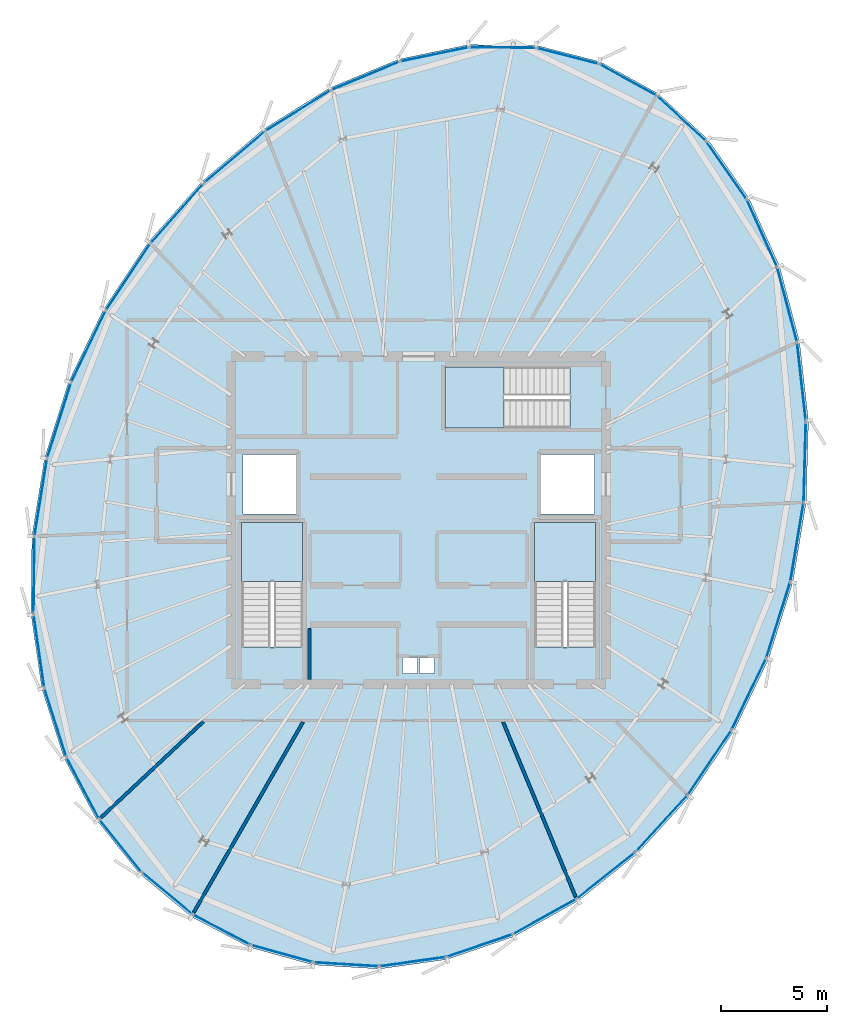
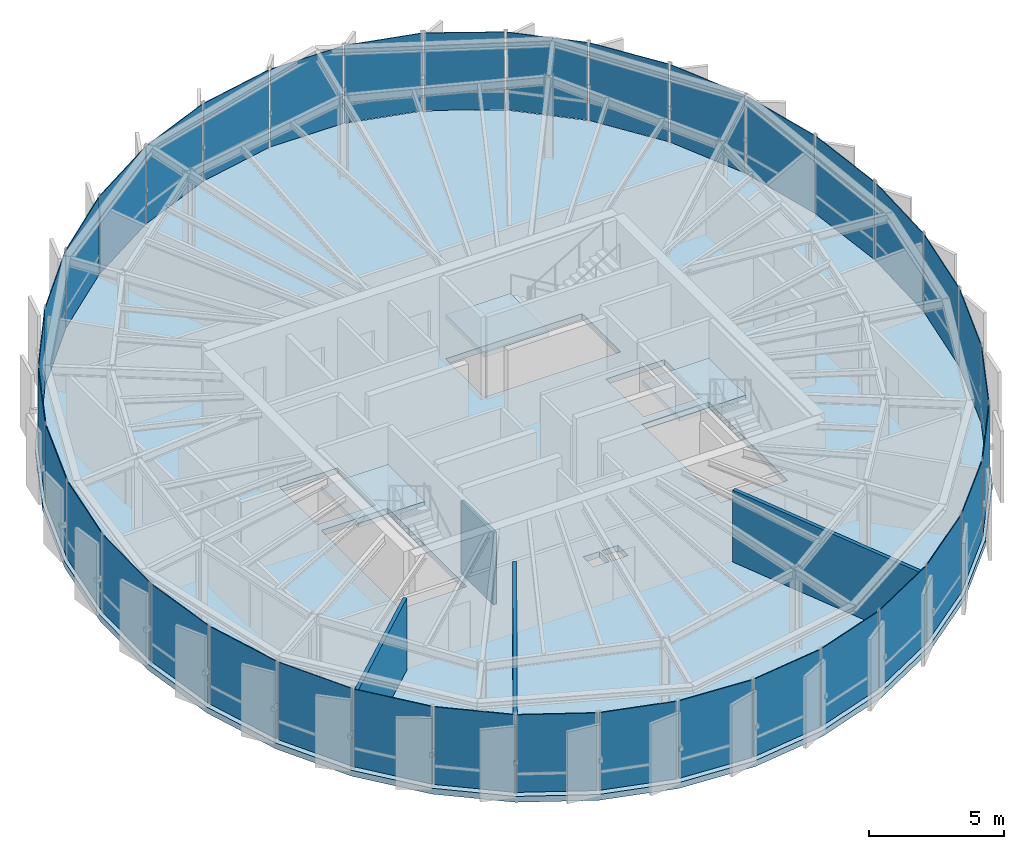
# One storey, part 21 of 27: 36 plates, 4 slabs, 4 walls, 9 elements without a shape of their own.
"""IFC4 building model written with IfcOpenShell, lengths in metres."""

from ifc_helpers import new_model, si_unit, direction, frame, frame_2d, origin, origin_2d, place, context, subcontext, project, spatial, polyline, rectangle, outline, extrude, source, transform, mapped, material, layer, layer_set, type_object, element, aggregate, save


model = new_model("IFC4")

# Units and contexts
model_context = context("Model", 3, precision=1e-05, world=origin(), true_north=direction((0.0, 1.0)))
body_context = subcontext(model_context, "Body", "Model", "MODEL_VIEW")
ifc_project = project(units=[si_unit("LENGTHUNIT", "METRE"), si_unit("AREAUNIT", "SQUARE_METRE"), si_unit("VOLUMEUNIT", "CUBIC_METRE"), si_unit("PLANEANGLEUNIT", "RADIAN"), si_unit("MASSUNIT", "GRAM", prefix="KILO"), si_unit("THERMODYNAMICTEMPERATUREUNIT", "KELVIN")], contexts=[model_context])

# Site, building, storey
site_placement = place(None, origin())
site = spatial("IfcSite", under=ifc_project, at=site_placement, CompositionType="ELEMENT")
building_placement = place(site_placement, origin())
building = spatial("IfcBuilding", under=site, at=building_placement, Name="Kethvar Cultural Tower", CompositionType="ELEMENT")
storey_placement = place(building_placement, frame((0.0, 0.0, 308.300048828125)))
storey = spatial("IfcBuildingStorey", under=building, at=storey_placement, Name="L82", CompositionType="ELEMENT", Elevation=308.300048828125)

# Slab
ifc_material_1 = material(Name="Concrete C45/55", Category="concrete")
ifc_layer_1 = layer(ifc_material_1, 0.264892578125, Name="Concrete C45/55", Category="concrete")
ifc_layer_set_1 = layer_set([ifc_layer_1], Name="Concrete C45/55 (265 mm)")
slab_type_1 = type_object("IfcSlabType", Name="SL-CRN-265", PredefinedType="FLOOR", material=ifc_layer_set_1)
slab_1_placement = place(storey_placement, frame((0.0, 0.0, -0.26513671875)))
element("IfcSlab", 1, at=slab_1_placement, inside=storey, type_object=slab_type_1, Name="L82 Structural Floor Slab", PredefinedType="FLOOR", context=body_context, shape_type="SweptSolid", body=[
    extrude(outline(polyline([(55.33056640625, 49.345703125), (52.33251953125, 50.115478515625), (49.142822265625, 50.1484375), (45.8671875, 49.464111328125), (42.61669921875, 48.1142578125), (39.503662109375, 46.173095703125), (36.634765625, 43.72998046875), (34.10498046875, 40.879638671875), (31.9931640625, 37.713134765625), (30.35693359375, 34.310302734375), (29.227783203125, 30.728271484375), (28.63232421875, 27.057373046875), (28.589111328125, 23.408935546875), (29.09912109375, 19.89404296875), (30.14697265625, 16.619384765625), (31.700927734375, 13.684326171875), (33.71337890625, 11.17822265625), (36.123779296875, 9.17724609375), (38.8583984375, 7.741943359375), (41.83447265625, 6.916259765625), (44.961181640625, 6.724853515625), (48.14404296875, 7.174072265625), (51.285888671875, 8.25), (54.29150390625, 9.919921875), (57.0693359375, 12.1328125), (59.535400390625, 14.822021484375), (61.6142578125, 17.905517578125), (63.2431640625, 21.289794921875), (64.379638671875, 24.890380859375), (65.0078125, 28.644287109375), (65.114990234375, 32.453857421875), (64.696044921875, 36.19873046875), (63.755615234375, 39.74462890625), (62.310302734375, 42.9541015625), (60.390625, 45.6953125), (58.043212890625, 47.8544921875), (55.33056640625, 49.345703125)]), holes=[polyline([(38.489990234375, 21.85009765625), (38.489990234375, 27.699951171875), (41.35009765625, 27.699951171875), (41.35009765625, 21.85009765625), (38.489990234375, 21.85009765625)]), polyline([(52.25, 21.85009765625), (52.25, 27.699951171875), (55.110107421875, 27.699951171875), (55.110107421875, 21.85009765625), (52.25, 21.85009765625)]), polyline([(53.89990234375, 32.14990234375), (48.050048828125, 32.14990234375), (48.050048828125, 35.010009765625), (53.89990234375, 35.010009765625), (53.89990234375, 32.14990234375)]), polyline([(38.550048828125, 30.89990234375), (41.050048828125, 30.89990234375), (41.050048828125, 28.10009765625), (38.550048828125, 28.10009765625), (38.550048828125, 30.89990234375)]), polyline([(52.550048828125, 30.89990234375), (55.050048828125, 30.89990234375), (55.050048828125, 28.10009765625), (52.550048828125, 28.10009765625), (52.550048828125, 30.89990234375)]), polyline([(46.050048828125, 21.35009765625), (46.75, 21.35009765625), (46.75, 20.60009765625), (46.050048828125, 20.60009765625), (46.050048828125, 21.35009765625)]), polyline([(46.85009765625, 21.35009765625), (47.550048828125, 21.35009765625), (47.550048828125, 20.60009765625), (46.85009765625, 20.60009765625), (46.85009765625, 21.35009765625)])]), origin(), (0.0, 0.0, 1.0), 0.26513671875),
])

# Stair, slab
ifc_material_2 = material(Name="Concrete C40/50", Category="concrete")
stair_type = type_object("IfcStairType", Name="ST-DOGLEG-135", PredefinedType="HALF_TURN_STAIR", material=ifc_material_2)
stair_1_placement = place(storey_placement, origin())
stair_1 = element("IfcStair", 2, at=stair_1_placement, inside=storey, type_object=stair_type, Name="L82 Core Exit Stair 1", PredefinedType="HALF_TURN_STAIR")
ifc_layer_2 = layer(ifc_material_2, 0.199951171875, Name="Concrete C40/50", Category="concrete")
ifc_layer_set_2 = layer_set([ifc_layer_2], Name="Concrete C40/50 (200 mm)")
slab_type_2 = type_object("IfcSlabType", Name="SL-STAIR-LANDING-200", PredefinedType="LANDING", material=ifc_layer_set_2)
slab_2_placement = place(storey_placement, frame((0.0, 0.0, 1.800048828125)))
slab_2 = element("IfcSlab", 3, at=slab_2_placement, type_object=slab_type_2, Name="ST-01 landing 1", PredefinedType="LANDING", context=body_context, shape_type="SweptSolid", body=[
    extrude(outline(polyline([(41.35009765625, 24.929931640625), (41.35009765625, 27.699951171875), (38.489990234375, 27.699951171875), (38.489990234375, 24.929931640625), (41.35009765625, 24.929931640625)])), origin(), (0.0, 0.0, 1.0), 0.199951171875),
])
aggregate(stair_1, [slab_2])

stair_2_placement = place(storey_placement, origin())
stair_2 = element("IfcStair", 4, at=stair_2_placement, inside=storey, type_object=stair_type, Name="L82 Core Exit Stair 2", PredefinedType="HALF_TURN_STAIR")
slab_3_placement = place(storey_placement, frame((0.0, 0.0, 1.800048828125)))
slab_3 = element("IfcSlab", 5, at=slab_3_placement, type_object=slab_type_2, Name="ST-02 landing 1", PredefinedType="LANDING", context=body_context, shape_type="SweptSolid", body=[
    extrude(outline(polyline([(55.110107421875, 24.929931640625), (55.110107421875, 27.699951171875), (52.25, 27.699951171875), (52.25, 24.929931640625), (55.110107421875, 24.929931640625)])), origin(), (0.0, 0.0, 1.0), 0.199951171875),
])
aggregate(stair_2, [slab_3])

stair_3_placement = place(storey_placement, origin())
stair_3 = element("IfcStair", 6, at=stair_3_placement, inside=storey, type_object=stair_type, Name="L82 Core Exit Stair 3", PredefinedType="HALF_TURN_STAIR")
slab_4_placement = place(storey_placement, frame((0.0, 0.0, 1.800048828125)))
slab_4 = element("IfcSlab", 7, at=slab_4_placement, type_object=slab_type_2, Name="ST-03 landing 1", PredefinedType="LANDING", context=body_context, shape_type="SweptSolid", body=[
    extrude(outline(polyline([(50.820068359375, 35.010009765625), (48.050048828125, 35.010009765625), (48.050048828125, 32.14990234375), (50.820068359375, 32.14990234375), (50.820068359375, 35.010009765625)])), origin(), (0.0, 0.0, 1.0), 0.199951171875),
])
aggregate(stair_3, [slab_4])

# Curtain wall, plate
ifc_material_3 = material(Name="Aluminium 6063-T6", Category="aluminium")
ifc_layer_3 = layer(ifc_material_3, 0.179931640625, Name="Aluminium 6063-T6", Category="aluminium")
ifc_layer_set_3 = layer_set([ifc_layer_3], Name="Aluminium 6063-T6 (180 mm)")
curtain_wall_type = type_object("IfcCurtainWallType", Name="CW-SYS-06-CROWN", PredefinedType="NOTDEFINED", material=ifc_layer_set_3)
curtain_wall_1_placement = place(storey_placement, origin())
curtain_wall_1 = element("IfcCurtainWall", 8, at=curtain_wall_1_placement, inside=storey, type_object=curtain_wall_type, Name="L82 Curtain Wall Run 05", PredefinedType="NOTDEFINED")
ifc_material_4 = material(Name="Insulated Low-E Solar Glass", Category="glass")
ifc_layer_4 = layer(ifc_material_4, 0.033935546875, Name="Insulated Low-E Solar Glass", Category="glass")
ifc_layer_set_4 = layer_set([ifc_layer_4], Name="Insulated Low-E Solar Glass (34 mm)")
plate_type = type_object("IfcPlateType", Name="CW-SYS-06-CROWN-PNL", PredefinedType="CURTAIN_PANEL", material=ifc_layer_set_4)
shared_shape_1 = source(origin(), body_context, "Body", "SweptSolid", [
    extrude(rectangle(XDim=3.71728515625, YDim=0.033935546875, at=origin_2d()), origin(), (0.0, 0.0, 1.0), 3.514892578125),
])
plate_1_placement = place(storey_placement, frame((64.94140625, 30.552490234375, 0.10986328125), z_axis=(0.0, 0.0, 1.0), x_axis=(0.028096103175, 0.99960522657, 0.0)))
plate_1 = element("IfcPlate", 9, at=plate_1_placement, type_object=plate_type, Name="CW-L82-R05 Vision Glazing Panel 6", PredefinedType="CURTAIN_PANEL", context=body_context, shape_type="MappedRepresentation", body=[
    mapped(shared_shape_1, transform((0.0, 0.0, 0.0), scale=1.0)),
])

curtain_wall_2_placement = place(storey_placement, origin())
curtain_wall_2 = element("IfcCurtainWall", 10, at=curtain_wall_2_placement, inside=storey, type_object=curtain_wall_type, Name="L82 Curtain Wall Run 01", PredefinedType="NOTDEFINED")
shared_shape_2 = source(origin(), body_context, "Body", "SweptSolid", [
    extrude(rectangle(XDim=3.001708984375, YDim=0.033935546875, at=origin_2d()), origin(), (0.0, 0.0, 1.0), 3.514892578125),
])
plate_2_placement = place(storey_placement, frame((53.8017578125, 49.614501953125, 0.10986328125), z_axis=(0.0, 0.0, 1.0), x_axis=(-0.968574479624, 0.248723696944, 0.0)))
plate_2 = element("IfcPlate", 11, at=plate_2_placement, type_object=plate_type, Name="CW-L82-R01 Vision Glazing Panel 1", PredefinedType="CURTAIN_PANEL", context=body_context, shape_type="MappedRepresentation", body=[
    mapped(shared_shape_2, transform((0.0, 0.0, 0.0), scale=1.0)),
])

curtain_wall_3_placement = place(storey_placement, origin())
curtain_wall_3 = element("IfcCurtainWall", 12, at=curtain_wall_3_placement, inside=storey, type_object=curtain_wall_type, Name="L82 Curtain Wall Run 06", PredefinedType="NOTDEFINED")
plate_3_placement = place(storey_placement, frame((56.62890625, 48.4951171875, 0.10986328125), z_axis=(0.0, 0.0, 1.0), x_axis=(-0.876323495886, 0.481723084935, 0.0)))
plate_3 = element("IfcPlate", 13, at=plate_3_placement, type_object=plate_type, Name="CW-L82-R06 Vision Glazing Panel 6", PredefinedType="CURTAIN_PANEL", context=body_context, shape_type="MappedRepresentation", body=[
    mapped(shared_shape_2, transform((0.0, 0.0, 0.0), scale=1.0)),
])

# Plate
shared_shape_3 = source(origin(), body_context, "Body", "SweptSolid", [
    extrude(rectangle(XDim=3.09619140625, YDim=0.033935546875, at=origin_2d()), origin(), (0.0, 0.0, 1.0), 3.514892578125),
])
plate_4_placement = place(storey_placement, frame((50.736572265625, 50.01220703125, 0.10986328125), z_axis=(0.0, 0.0, 1.0), x_axis=(-0.999946801933, 0.010314712968, 0.0)))
plate_4 = element("IfcPlate", 14, at=plate_4_placement, type_object=plate_type, Name="CW-L82-R01 Vision Glazing Panel 2", PredefinedType="CURTAIN_PANEL", context=body_context, shape_type="MappedRepresentation", body=[
    mapped(shared_shape_3, transform((0.0, 0.0, 0.0), scale=1.0)),
])

plate_5_placement = place(storey_placement, frame((59.135498046875, 46.6865234375, 0.10986328125), z_axis=(0.0, 0.0, 1.0), x_axis=(-0.73599075461, 0.676991587192, 0.0)))
plate_5 = element("IfcPlate", 15, at=plate_5_placement, type_object=plate_type, Name="CW-L82-R06 Vision Glazing Panel 5", PredefinedType="CURTAIN_PANEL", context=body_context, shape_type="MappedRepresentation", body=[
    mapped(shared_shape_3, transform((0.0, 0.0, 0.0), scale=1.0)),
])

shared_shape_4 = source(origin(), body_context, "Body", "SweptSolid", [
    extrude(rectangle(XDim=3.2529296875, YDim=0.033935546875, at=origin_2d()), origin(), (0.0, 0.0, 1.0), 3.514892578125),
])
plate_6_placement = place(storey_placement, frame((47.529541015625, 49.68896484375, 0.10986328125), z_axis=(0.0, 0.0, 1.0), x_axis=(-0.978870957742, -0.204478967352, 0.0)))
plate_6 = element("IfcPlate", 16, at=plate_6_placement, type_object=plate_type, Name="CW-L82-R01 Vision Glazing Panel 3", PredefinedType="CURTAIN_PANEL", context=body_context, shape_type="MappedRepresentation", body=[
    mapped(shared_shape_4, transform((0.0, 0.0, 0.0), scale=1.0)),
])

plate_7_placement = place(storey_placement, frame((61.252197265625, 44.255615234375, 0.10986328125), z_axis=(0.0, 0.0, 1.0), x_axis=(-0.573590733164, 0.819142033367, 0.0)))
plate_7 = element("IfcPlate", 17, at=plate_7_placement, type_object=plate_type, Name="CW-L82-R06 Vision Glazing Panel 4", PredefinedType="CURTAIN_PANEL", context=body_context, shape_type="MappedRepresentation", body=[
    mapped(shared_shape_4, transform((0.0, 0.0, 0.0), scale=1.0)),
])

shared_shape_5 = source(origin(), body_context, "Body", "SweptSolid", [
    extrude(rectangle(XDim=3.426025390625, YDim=0.033935546875, at=origin_2d()), origin(), (0.0, 0.0, 1.0), 3.514892578125),
])
plate_8_placement = place(storey_placement, frame((44.287841796875, 48.67822265625, 0.10986328125), z_axis=(0.0, 0.0, 1.0), x_axis=(-0.923511757181, -0.383570116599, 0.0)))
plate_8 = element("IfcPlate", 18, at=plate_8_placement, type_object=plate_type, Name="CW-L82-R01 Vision Glazing Panel 4", PredefinedType="CURTAIN_PANEL", context=body_context, shape_type="MappedRepresentation", body=[
    mapped(shared_shape_5, transform((0.0, 0.0, 0.0), scale=1.0)),
])

shared_shape_6 = source(origin(), body_context, "Body", "SweptSolid", [
    extrude(rectangle(XDim=3.5751953125, YDim=0.033935546875, at=origin_2d()), origin(), (0.0, 0.0, 1.0), 3.514892578125),
])
plate_9_placement = place(storey_placement, frame((41.123779296875, 47.041748046875, 0.10986328125), z_axis=(0.0, 0.0, 1.0), x_axis=(-0.848537921566, -0.529134572358, 0.0)))
plate_9 = element("IfcPlate", 19, at=plate_9_placement, type_object=plate_type, Name="CW-L82-R01 Vision Glazing Panel 5", PredefinedType="CURTAIN_PANEL", context=body_context, shape_type="MappedRepresentation", body=[
    mapped(shared_shape_6, transform((0.0, 0.0, 0.0), scale=1.0)),
])

shared_shape_7 = source(origin(), body_context, "Body", "SweptSolid", [
    extrude(rectangle(XDim=3.674560546875, YDim=0.033935546875, at=origin_2d()), origin(), (0.0, 0.0, 1.0), 3.514892578125),
])
plate_10_placement = place(storey_placement, frame((38.147216796875, 44.860107421875, 0.10986328125), z_axis=(0.0, 0.0, 1.0), x_axis=(-0.761368604048, -0.648319249113, 0.0)))
plate_10 = element("IfcPlate", 20, at=plate_10_placement, type_object=plate_type, Name="CW-L82-R01 Vision Glazing Panel 6", PredefinedType="CURTAIN_PANEL", context=body_context, shape_type="MappedRepresentation", body=[
    mapped(shared_shape_7, transform((0.0, 0.0, 0.0), scale=1.0)),
])

aggregate(curtain_wall_2, [plate_2, plate_4, plate_6, plate_8, plate_9, plate_10])

plate_11_placement = place(storey_placement, frame((64.7861328125, 34.31298828125, 0.10986328125), z_axis=(0.0, 0.0, 1.0), x_axis=(-0.111191415509, 0.99379900841, 0.0)))
plate_11 = element("IfcPlate", 21, at=plate_11_placement, type_object=plate_type, Name="CW-L82-R06 Vision Glazing Panel 1", PredefinedType="CURTAIN_PANEL", context=body_context, shape_type="MappedRepresentation", body=[
    mapped(shared_shape_7, transform((0.0, 0.0, 0.0), scale=1.0)),
])

# Curtain wall, plates
curtain_wall_4_placement = place(storey_placement, origin())
curtain_wall_4 = element("IfcCurtainWall", 22, at=curtain_wall_4_placement, inside=storey, type_object=curtain_wall_type, Name="L82 Curtain Wall Run 02", PredefinedType="NOTDEFINED")
shared_shape_8 = source(origin(), body_context, "Body", "SweptSolid", [
    extrude(rectangle(XDim=3.717529296875, YDim=0.033935546875, at=origin_2d()), origin(), (0.0, 0.0, 1.0), 3.514892578125),
])
plate_12_placement = place(storey_placement, frame((35.459716796875, 42.22509765625, 0.10986328125), z_axis=(0.0, 0.0, 1.0), x_axis=(-0.663795687153, -0.747913956092, 0.0)))
plate_12 = element("IfcPlate", 23, at=plate_12_placement, type_object=plate_type, Name="CW-L82-R02 Vision Glazing Panel 1", PredefinedType="CURTAIN_PANEL", context=body_context, shape_type="MappedRepresentation", body=[
    mapped(shared_shape_8, transform((0.0, 0.0, 0.0), scale=1.0)),
])
shared_shape_9 = source(origin(), body_context, "Body", "SweptSolid", [
    extrude(rectangle(XDim=3.712646484375, YDim=0.033935546875, at=origin_2d()), origin(), (0.0, 0.0, 1.0), 3.514892578125),
])
plate_13_placement = place(storey_placement, frame((33.14892578125, 39.229736328125, 0.10986328125), z_axis=(0.0, 0.0, 1.0), x_axis=(-0.554858947702, -0.831944438142, 0.0)))
plate_13 = element("IfcPlate", 24, at=plate_13_placement, type_object=plate_type, Name="CW-L82-R02 Vision Glazing Panel 2", PredefinedType="CURTAIN_PANEL", context=body_context, shape_type="MappedRepresentation", body=[
    mapped(shared_shape_9, transform((0.0, 0.0, 0.0), scale=1.0)),
])
shared_shape_10 = source(origin(), body_context, "Body", "SweptSolid", [
    extrude(rectangle(XDim=3.68212890625, YDim=0.033935546875, at=origin_2d()), origin(), (0.0, 0.0, 1.0), 3.514892578125),
])
plate_14_placement = place(storey_placement, frame((31.283203125, 35.959716796875, 0.10986328125), z_axis=(0.0, 0.0, 1.0), x_axis=(-0.433344522957, -0.901228341999, 0.0)))
plate_14 = element("IfcPlate", 25, at=plate_14_placement, type_object=plate_type, Name="CW-L82-R02 Vision Glazing Panel 3", PredefinedType="CURTAIN_PANEL", context=body_context, shape_type="MappedRepresentation", body=[
    mapped(shared_shape_10, transform((0.0, 0.0, 0.0), scale=1.0)),
])

# Plate
plate_15_placement = place(storey_placement, frame((63.697021484375, 23.126220703125, 0.10986328125), z_axis=(0.0, 0.0, 1.0), x_axis=(0.301022047482, 0.953617180492, 0.0)))
plate_15 = element("IfcPlate", 26, at=plate_15_placement, type_object=plate_type, Name="CW-L82-R05 Vision Glazing Panel 4", PredefinedType="CURTAIN_PANEL", context=body_context, shape_type="MappedRepresentation", body=[
    mapped(shared_shape_10, transform((0.0, 0.0, 0.0), scale=1.0)),
])

shared_shape_11 = source(origin(), body_context, "Body", "SweptSolid", [
    extrude(rectangle(XDim=3.662109375, YDim=0.033935546875, at=origin_2d()), origin(), (0.0, 0.0, 1.0), 3.514892578125),
])
plate_16_placement = place(storey_placement, frame((29.90673828125, 32.483154296875, 0.10986328125), z_axis=(0.0, 0.0, 1.0), x_axis=(-0.300655862589, -0.95373269436, 0.0)))
plate_16 = element("IfcPlate", 27, at=plate_16_placement, type_object=plate_type, Name="CW-L82-R02 Vision Glazing Panel 4", PredefinedType="CURTAIN_PANEL", context=body_context, shape_type="MappedRepresentation", body=[
    mapped(shared_shape_11, transform((0.0, 0.0, 0.0), scale=1.0)),
])

plate_17_placement = place(storey_placement, frame((62.320556640625, 19.649658203125, 0.10986328125), z_axis=(0.0, 0.0, 1.0), x_axis=(0.433690537845, 0.901061883215, 0.0)))
plate_17 = element("IfcPlate", 28, at=plate_17_placement, type_object=plate_type, Name="CW-L82-R05 Vision Glazing Panel 3", PredefinedType="CURTAIN_PANEL", context=body_context, shape_type="MappedRepresentation", body=[
    mapped(shared_shape_11, transform((0.0, 0.0, 0.0), scale=1.0)),
])

shared_shape_12 = source(origin(), body_context, "Body", "SweptSolid", [
    extrude(rectangle(XDim=3.625244140625, YDim=0.033935546875, at=origin_2d()), origin(), (0.0, 0.0, 1.0), 3.514892578125),
])
plate_18_placement = place(storey_placement, frame((29.048583984375, 28.87353515625, 0.10986328125), z_axis=(0.0, 0.0, 1.0), x_axis=(-0.160070701302, -0.987105551896, 0.0)))
plate_18 = element("IfcPlate", 29, at=plate_18_placement, type_object=plate_type, Name="CW-L82-R02 Vision Glazing Panel 5", PredefinedType="CURTAIN_PANEL", context=body_context, shape_type="MappedRepresentation", body=[
    mapped(shared_shape_12, transform((0.0, 0.0, 0.0), scale=1.0)),
])

plate_19_placement = place(storey_placement, frame((60.475341796875, 16.430908203125, 0.10986328125), z_axis=(0.0, 0.0, 1.0), x_axis=(0.559033729378, 0.829144914606, 0.0)))
plate_19 = element("IfcPlate", 30, at=plate_19_placement, type_object=plate_type, Name="CW-L82-R05 Vision Glazing Panel 2", PredefinedType="CURTAIN_PANEL", context=body_context, shape_type="MappedRepresentation", body=[
    mapped(shared_shape_12, transform((0.0, 0.0, 0.0), scale=1.0)),
])

shared_shape_13 = source(origin(), body_context, "Body", "SweptSolid", [
    extrude(rectangle(XDim=3.55517578125, YDim=0.033935546875, at=origin_2d()), origin(), (0.0, 0.0, 1.0), 3.514892578125),
])
plate_20_placement = place(storey_placement, frame((28.730712890625, 25.231689453125, 0.10986328125), z_axis=(0.0, 0.0, 1.0), x_axis=(-0.011867960299, -0.999929573279, 0.0)))
plate_20 = element("IfcPlate", 31, at=plate_20_placement, type_object=plate_type, Name="CW-L82-R02 Vision Glazing Panel 6", PredefinedType="CURTAIN_PANEL", context=body_context, shape_type="MappedRepresentation", body=[
    mapped(shared_shape_13, transform((0.0, 0.0, 0.0), scale=1.0)),
])

aggregate(curtain_wall_4, [plate_12, plate_13, plate_14, plate_16, plate_18, plate_20])

# Curtain wall, plates
curtain_wall_5_placement = place(storey_placement, origin())
curtain_wall_5 = element("IfcCurtainWall", 32, at=curtain_wall_5_placement, inside=storey, type_object=curtain_wall_type, Name="L82 Curtain Wall Run 03", PredefinedType="NOTDEFINED")
shared_shape_14 = source(origin(), body_context, "Body", "SweptSolid", [
    extrude(rectangle(XDim=3.4580078125, YDim=0.033935546875, at=origin_2d()), origin(), (0.0, 0.0, 1.0), 3.514892578125),
])
plate_21_placement = place(storey_placement, frame((28.962890625, 21.668701171875, 0.10986328125), z_axis=(0.0, 0.0, 1.0), x_axis=(0.143596257255, -0.989636354881, 0.0)))
plate_21 = element("IfcPlate", 33, at=plate_21_placement, type_object=plate_type, Name="CW-L82-R03 Vision Glazing Panel 1", PredefinedType="CURTAIN_PANEL", context=body_context, shape_type="MappedRepresentation", body=[
    mapped(shared_shape_14, transform((0.0, 0.0, 0.0), scale=1.0)),
])
shared_shape_15 = source(origin(), body_context, "Body", "SweptSolid", [
    extrude(rectangle(XDim=3.3447265625, YDim=0.033935546875, at=origin_2d()), origin(), (0.0, 0.0, 1.0), 3.514892578125),
])
plate_22_placement = place(storey_placement, frame((29.7373046875, 18.293212890625, 0.10986328125), z_axis=(0.0, 0.0, 1.0), x_axis=(0.304781185655, -0.952422400446, 0.0)))
plate_22 = element("IfcPlate", 34, at=plate_22_placement, type_object=plate_type, Name="CW-L82-R03 Vision Glazing Panel 2", PredefinedType="CURTAIN_PANEL", context=body_context, shape_type="MappedRepresentation", body=[
    mapped(shared_shape_15, transform((0.0, 0.0, 0.0), scale=1.0)),
])

# Curtain wall, plate
curtain_wall_6_placement = place(storey_placement, origin())
curtain_wall_6 = element("IfcCurtainWall", 35, at=curtain_wall_6_placement, inside=storey, type_object=curtain_wall_type, Name="L82 Curtain Wall Run 04", PredefinedType="NOTDEFINED")
plate_23_placement = place(storey_placement, frame((52.730224609375, 9.189697265625, 0.10986328125), z_axis=(0.0, 0.0, 1.0), x_axis=(0.874145444111, 0.485664228187, 0.0)))
plate_23 = element("IfcPlate", 36, at=plate_23_placement, type_object=plate_type, Name="CW-L82-R04 Vision Glazing Panel 5", PredefinedType="CURTAIN_PANEL", context=body_context, shape_type="MappedRepresentation", body=[
    mapped(shared_shape_15, transform((0.0, 0.0, 0.0), scale=1.0)),
])

# Plate
shared_shape_16 = source(origin(), body_context, "Body", "SweptSolid", [
    extrude(rectangle(XDim=3.2275390625, YDim=0.033935546875, at=origin_2d()), origin(), (0.0, 0.0, 1.0), 3.514892578125),
])
plate_24_placement = place(storey_placement, frame((31.030029296875, 15.2080078125, 0.10986328125), z_axis=(0.0, 0.0, 1.0), x_axis=(0.467898964735, -0.883781963382, 0.0)))
plate_24 = element("IfcPlate", 37, at=plate_24_placement, type_object=plate_type, Name="CW-L82-R03 Vision Glazing Panel 3", PredefinedType="CURTAIN_PANEL", context=body_context, shape_type="MappedRepresentation", body=[
    mapped(shared_shape_16, transform((0.0, 0.0, 0.0), scale=1.0)),
])

shared_shape_17 = source(origin(), body_context, "Body", "SweptSolid", [
    extrude(rectangle(XDim=3.12060546875, YDim=0.033935546875, at=origin_2d()), origin(), (0.0, 0.0, 1.0), 3.514892578125),
])
plate_25_placement = place(storey_placement, frame((32.80078125, 12.50634765625, 0.10986328125), z_axis=(0.0, 0.0, 1.0), x_axis=(0.626154841014, -0.779698733535, 0.0)))
plate_25 = element("IfcPlate", 38, at=plate_25_placement, type_object=plate_type, Name="CW-L82-R03 Vision Glazing Panel 4", PredefinedType="CURTAIN_PANEL", context=body_context, shape_type="MappedRepresentation", body=[
    mapped(shared_shape_17, transform((0.0, 0.0, 0.0), scale=1.0)),
])

plate_26_placement = place(storey_placement, frame((46.535888671875, 7.068359375, 0.10986328125), z_axis=(0.0, 0.0, 1.0), x_axis=(0.99018530741, 0.139760713323, 0.0)))
plate_26 = element("IfcPlate", 39, at=plate_26_placement, type_object=plate_type, Name="CW-L82-R04 Vision Glazing Panel 3", PredefinedType="CURTAIN_PANEL", context=body_context, shape_type="MappedRepresentation", body=[
    mapped(shared_shape_17, transform((0.0, 0.0, 0.0), scale=1.0)),
])

shared_shape_18 = source(origin(), body_context, "Body", "SweptSolid", [
    extrude(rectangle(XDim=3.0390625, YDim=0.033935546875, at=origin_2d()), origin(), (0.0, 0.0, 1.0), 3.514892578125),
])
plate_27_placement = place(storey_placement, frame((34.995361328125, 10.27001953125, 0.10986328125), z_axis=(0.0, 0.0, 1.0), x_axis=(0.769410703531, -0.638754388863, 0.0)))
plate_27 = element("IfcPlate", 40, at=plate_27_placement, type_object=plate_type, Name="CW-L82-R03 Vision Glazing Panel 5", PredefinedType="CURTAIN_PANEL", context=body_context, shape_type="MappedRepresentation", body=[
    mapped(shared_shape_18, transform((0.0, 0.0, 0.0), scale=1.0)),
])

shared_shape_19 = source(origin(), body_context, "Body", "SweptSolid", [
    extrude(rectangle(XDim=2.994873046875, YDim=0.033935546875, at=origin_2d()), origin(), (0.0, 0.0, 1.0), 3.514892578125),
])
plate_28_placement = place(storey_placement, frame((37.546875, 8.56591796875, 0.10986328125), z_axis=(0.0, 0.0, 1.0), x_axis=(0.885450410316, -0.464733871018, 0.0)))
plate_28 = element("IfcPlate", 41, at=plate_28_placement, type_object=plate_type, Name="CW-L82-R03 Vision Glazing Panel 6", PredefinedType="CURTAIN_PANEL", context=body_context, shape_type="MappedRepresentation", body=[
    mapped(shared_shape_19, transform((0.0, 0.0, 0.0), scale=1.0)),
])

aggregate(curtain_wall_5, [plate_21, plate_22, plate_24, plate_25, plate_27, plate_28])

plate_29_placement = place(storey_placement, frame((40.37841796875, 7.444580078125, 0.10986328125), z_axis=(0.0, 0.0, 1.0), x_axis=(0.96359779669, -0.267356103753, 0.0)))
plate_29 = element("IfcPlate", 42, at=plate_29_placement, type_object=plate_type, Name="CW-L82-R04 Vision Glazing Panel 1", PredefinedType="CURTAIN_PANEL", context=body_context, shape_type="MappedRepresentation", body=[
    mapped(shared_shape_19, transform((0.0, 0.0, 0.0), scale=1.0)),
])

shared_shape_20 = source(origin(), body_context, "Body", "SweptSolid", [
    extrude(rectangle(XDim=3.039306640625, YDim=0.033935546875, at=origin_2d()), origin(), (0.0, 0.0, 1.0), 3.514892578125),
])
plate_30_placement = place(storey_placement, frame((43.405029296875, 6.940185546875, 0.10986328125), z_axis=(0.0, 0.0, 1.0), x_axis=(0.998133732772, -0.061065960264, 0.0)))
plate_30 = element("IfcPlate", 43, at=plate_30_placement, type_object=plate_type, Name="CW-L82-R04 Vision Glazing Panel 2", PredefinedType="CURTAIN_PANEL", context=body_context, shape_type="MappedRepresentation", body=[
    mapped(shared_shape_20, transform((0.0, 0.0, 0.0), scale=1.0)),
])

shared_shape_21 = source(origin(), body_context, "Body", "SweptSolid", [
    extrude(rectangle(XDim=3.227294921875, YDim=0.033935546875, at=origin_2d()), origin(), (0.0, 0.0, 1.0), 3.514892578125),
])
plate_31_placement = place(storey_placement, frame((49.676025390625, 7.825439453125, 0.10986328125), z_axis=(0.0, 0.0, 1.0), x_axis=(0.9460740514, 0.32395044261, 0.0)))
plate_31 = element("IfcPlate", 44, at=plate_31_placement, type_object=plate_type, Name="CW-L82-R04 Vision Glazing Panel 4", PredefinedType="CURTAIN_PANEL", context=body_context, shape_type="MappedRepresentation", body=[
    mapped(shared_shape_21, transform((0.0, 0.0, 0.0), scale=1.0)),
])

shared_shape_22 = source(origin(), body_context, "Body", "SweptSolid", [
    extrude(rectangle(XDim=3.458251953125, YDim=0.033935546875, at=origin_2d()), origin(), (0.0, 0.0, 1.0), 3.514892578125),
])
plate_32_placement = place(storey_placement, frame((55.605712890625, 11.1201171875, 0.10986328125), z_axis=(0.0, 0.0, 1.0), x_axis=(0.782140744507, 0.623101802102, 0.0)))
plate_32 = element("IfcPlate", 45, at=plate_32_placement, type_object=plate_type, Name="CW-L82-R04 Vision Glazing Panel 6", PredefinedType="CURTAIN_PANEL", context=body_context, shape_type="MappedRepresentation", body=[
    mapped(shared_shape_22, transform((0.0, 0.0, 0.0), scale=1.0)),
])

aggregate(curtain_wall_6, [plate_29, plate_30, plate_26, plate_31, plate_23, plate_32])

shared_shape_23 = source(origin(), body_context, "Body", "SweptSolid", [
    extrude(rectangle(XDim=3.554931640625, YDim=0.033935546875, at=origin_2d()), origin(), (0.0, 0.0, 1.0), 3.514892578125),
])
plate_33_placement = place(storey_placement, frame((58.2138671875, 13.55859375, 0.10986328125), z_axis=(0.0, 0.0, 1.0), x_axis=(0.675847524792, 0.737041466427, 0.0)))
plate_33 = element("IfcPlate", 46, at=plate_33_placement, type_object=plate_type, Name="CW-L82-R05 Vision Glazing Panel 1", PredefinedType="CURTAIN_PANEL", context=body_context, shape_type="MappedRepresentation", body=[
    mapped(shared_shape_23, transform((0.0, 0.0, 0.0), scale=1.0)),
])

shared_shape_24 = source(origin(), body_context, "Body", "SweptSolid", [
    extrude(rectangle(XDim=3.71240234375, YDim=0.033935546875, at=origin_2d()), origin(), (0.0, 0.0, 1.0), 3.514892578125),
])
plate_34_placement = place(storey_placement, frame((64.575439453125, 26.787109375, 0.10986328125), z_axis=(0.0, 0.0, 1.0), x_axis=(0.165047605861, 0.986285601537, 0.0)))
plate_34 = element("IfcPlate", 47, at=plate_34_placement, type_object=plate_type, Name="CW-L82-R05 Vision Glazing Panel 5", PredefinedType="CURTAIN_PANEL", context=body_context, shape_type="MappedRepresentation", body=[
    mapped(shared_shape_24, transform((0.0, 0.0, 0.0), scale=1.0)),
])

aggregate(curtain_wall_1, [plate_33, plate_19, plate_17, plate_15, plate_34, plate_1])

shared_shape_25 = source(origin(), body_context, "Body", "SweptSolid", [
    extrude(rectangle(XDim=3.574951171875, YDim=0.033935546875, at=origin_2d()), origin(), (0.0, 0.0, 1.0), 3.514892578125),
])
plate_35_placement = place(storey_placement, frame((64.109619140625, 37.94091796875, 0.10986328125), z_axis=(0.0, 0.0, 1.0), x_axis=(-0.256356853926, 0.966582207288, 0.0)))
plate_35 = element("IfcPlate", 48, at=plate_35_placement, type_object=plate_type, Name="CW-L82-R06 Vision Glazing Panel 2", PredefinedType="CURTAIN_PANEL", context=body_context, shape_type="MappedRepresentation", body=[
    mapped(shared_shape_25, transform((0.0, 0.0, 0.0), scale=1.0)),
])

shared_shape_26 = source(origin(), body_context, "Body", "SweptSolid", [
    extrude(rectangle(XDim=3.42626953125, YDim=0.033935546875, at=origin_2d()), origin(), (0.0, 0.0, 1.0), 3.514892578125),
])
plate_36_placement = place(storey_placement, frame((62.923583984375, 41.300048828125, 0.10986328125), z_axis=(0.0, 0.0, 1.0), x_axis=(-0.410623370864, 0.911805048955, 0.0)))
plate_36 = element("IfcPlate", 49, at=plate_36_placement, type_object=plate_type, Name="CW-L82-R06 Vision Glazing Panel 3", PredefinedType="CURTAIN_PANEL", context=body_context, shape_type="MappedRepresentation", body=[
    mapped(shared_shape_26, transform((0.0, 0.0, 0.0), scale=1.0)),
])

aggregate(curtain_wall_3, [plate_11, plate_35, plate_36, plate_7, plate_5, plate_3])

# Walls
ifc_material_5 = material(Name="Gypsum Fireboard Partition")
ifc_layer_5 = layer(ifc_material_5, 0.14990234375, Name="Gypsum Fireboard Partition")
ifc_layer_set_5 = layer_set([ifc_layer_5], Name="Gypsum Fireboard Partition (150 mm)")
wall_type = type_object("IfcWallType", Name="WL-FIRE-150", PredefinedType="PARTITIONING", material=ifc_layer_set_5)
wall_1_placement = place(storey_placement, frame((41.679931640625, 20.3349609375, 0.0), z_axis=(0.0, 0.0, 1.0), x_axis=(0.0, 1.0, 0.0)))
element("IfcWall", 50, at=wall_1_placement, inside=storey, type_object=wall_type, Name="L82 Reclaimed West Outer Wall", PredefinedType="PARTITIONING", context=body_context, shape_type="SweptSolid", body=[
    extrude(rectangle(XDim=2.39501953125, YDim=0.14990234375, at=frame_2d((1.197509765625, 0.0))), origin(), (0.0, 0.0, 1.0), 3.260009765625),
])
wall_2_placement = place(storey_placement, frame((36.686767578125, 18.34521484375, 0.0), z_axis=(0.0, 0.0, 1.0), x_axis=(-0.729594919554, -0.683879560566, 0.0)))
element("IfcWall", 51, at=wall_2_placement, inside=storey, type_object=wall_type, Name="L82 Radial Partition Wall 02", PredefinedType="PARTITIONING", context=body_context, shape_type="SweptSolid", body=[
    extrude(rectangle(XDim=6.595458984375, YDim=0.14990234375, at=frame_2d((3.2978515625, 0.0))), origin(), (0.0, 0.0, 1.0), 3.260009765625),
])
wall_3_placement = place(storey_placement, frame((41.371337890625, 18.33056640625, 0.0), z_axis=(0.0, 0.0, 1.0), x_axis=(-0.497725179065, -0.867334794716, 0.0)))
element("IfcWall", 52, at=wall_3_placement, inside=storey, type_object=wall_type, Name="L82 Radial Partition Wall 03", PredefinedType="PARTITIONING", context=body_context, shape_type="SweptSolid", body=[
    extrude(rectangle(XDim=10.32080078125, YDim=0.14990234375, at=frame_2d((5.160400390625, 0.0))), origin(), (0.0, 0.0, 1.0), 3.260009765625),
])
wall_4_placement = place(storey_placement, frame((50.76904296875, 18.326171875, 0.0), z_axis=(0.0, 0.0, 1.0), x_axis=(0.383109335805, -0.923703002495, 0.0)))
element("IfcWall", 53, at=wall_4_placement, inside=storey, type_object=wall_type, Name="L82 Radial Partition Wall 04", PredefinedType="PARTITIONING", context=body_context, shape_type="SweptSolid", body=[
    extrude(rectangle(XDim=8.88916015625, YDim=0.14990234375, at=frame_2d((4.444580078125, 0.0))), origin(), (0.0, 0.0, 1.0), 3.260009765625),
])

save(model, "model.ifc")
